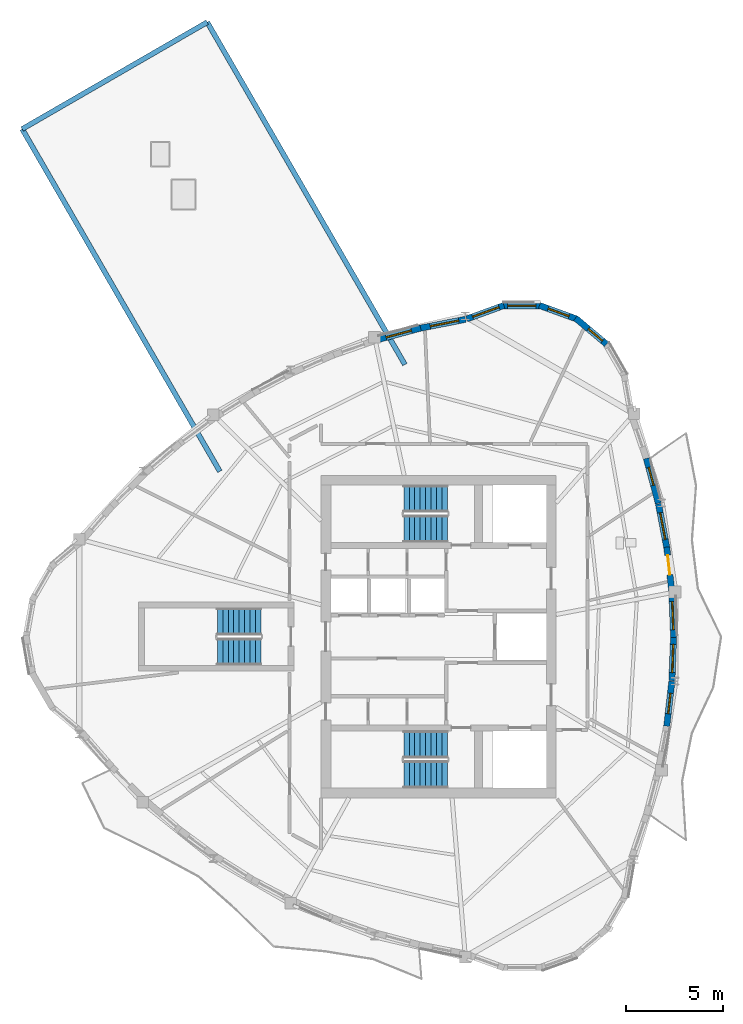
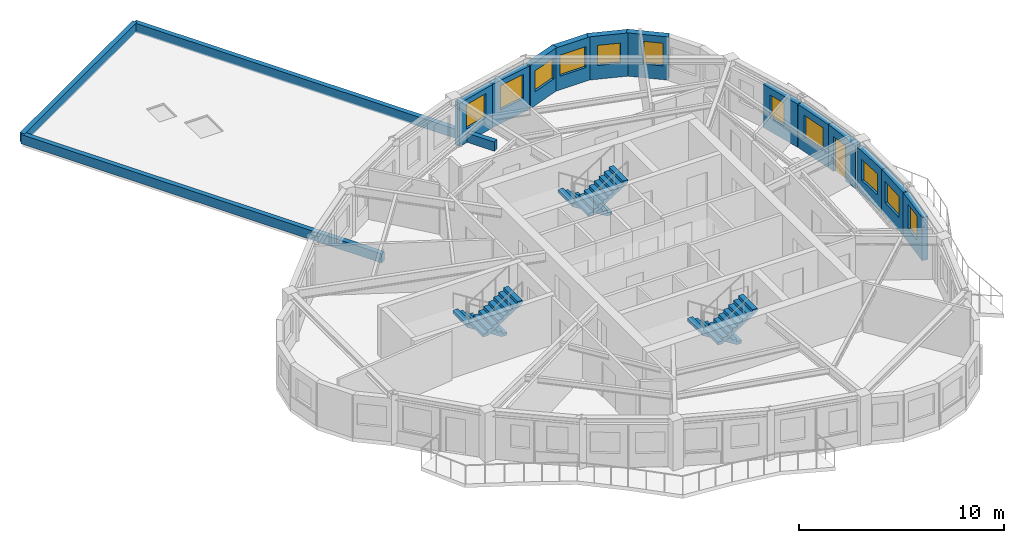
# One storey, part 7 of 11: 15 walls, 11 windows, 6 stair flights, 1 door, 12 openings, 3 elements without a shape of their own.
"""IFC4 building model written with IfcOpenShell, lengths in metres."""

from ifc_helpers import new_model, si_unit, direction, frame, frame_2d, origin, place, context, subcontext, project, spatial, polyline, rectangle, outline, extrude, source, transform, mapped, material, layer, layer_set, type_object, element, fill, aggregate, save


model = new_model("IFC4")

# Units and contexts
model_context = context("Model", 3, precision=1e-05, world=origin(), true_north=direction((0.0, 1.0)))
body_context = subcontext(model_context, "Body", "Model", "MODEL_VIEW")
ifc_project = project(units=[si_unit("LENGTHUNIT", "METRE"), si_unit("AREAUNIT", "SQUARE_METRE"), si_unit("VOLUMEUNIT", "CUBIC_METRE"), si_unit("PLANEANGLEUNIT", "RADIAN"), si_unit("MASSUNIT", "GRAM", prefix="KILO")], contexts=[model_context])

# Site, building, storey
site_placement = place(None, origin())
site = spatial("IfcSite", under=ifc_project, at=site_placement, CompositionType="ELEMENT")
building_placement = place(site_placement, origin())
building = spatial("IfcBuilding", under=site, at=building_placement, Name="Qafzar Sky-Pleat Residences", CompositionType="ELEMENT")
storey_placement = place(building_placement, frame((0.0, 0.0, 214.800048828125)))
storey = spatial("IfcBuildingStorey", under=building, at=storey_placement, Name="L64", CompositionType="ELEMENT", Elevation=214.800048828125)

# Walls
ifc_material_1 = material(Name="Precast concrete C40/50 with honed Riyadh limestone", Category="concrete")
ifc_layer_1 = layer(ifc_material_1, 0.260009765625)
ifc_layer_set_1 = layer_set([ifc_layer_1], Name="Precast concrete C40/50 with honed Riyadh limestone")
wall_type_1 = type_object("IfcWallType", Name="WALL-EXT-260", PredefinedType="PARAPET", material=ifc_layer_set_1)
wall_1_placement = place(storey_placement, frame((28.613037109375, 40.00830078125, 0.0), z_axis=(0.0, 0.0, 1.0), x_axis=(-0.49999213116, 0.866029946814, 0.0)))
element("IfcWall", 1, at=wall_1_placement, inside=storey, type_object=wall_type_1, Name="L64 SB-5 Roof Parapet 1", PredefinedType="PARAPET", context=body_context, shape_type="SweptSolid", body=[
    extrude(rectangle(XDim=20.348876953125, YDim=0.260009765625, at=frame_2d((10.17431640625, 0.0))), origin(), (0.0, 0.0, 1.0), 0.550048828125),
])
wall_2_placement = place(storey_placement, frame((18.438720703125, 57.631103515625, 0.0), z_axis=(0.0, 0.0, 1.0), x_axis=(-0.866027397988, -0.499996545922, 0.0)))
element("IfcWall", 2, at=wall_2_placement, inside=storey, type_object=wall_type_1, Name="L64 SB-5 Roof Parapet 2", PredefinedType="PARAPET", context=body_context, shape_type="SweptSolid", body=[
    extrude(rectangle(XDim=11.0, YDim=0.260009765625, at=frame_2d((5.5, 0.0))), origin(), (0.0, 0.0, 1.0), 0.550048828125),
])
wall_3_placement = place(storey_placement, frame((8.912353515625, 52.131103515625, 0.0), z_axis=(0.0, 0.0, 1.0), x_axis=(0.500001129448, -0.866024751696, 0.0)))
element("IfcWall", 3, at=wall_3_placement, inside=storey, type_object=wall_type_1, Name="L64 SB-5 Roof Parapet 3", PredefinedType="PARAPET", context=body_context, shape_type="SweptSolid", body=[
    extrude(rectangle(XDim=20.34912109375, YDim=0.260009765625, at=frame_2d((10.174560546875, 0.0))), origin(), (0.0, 0.0, 1.0), 0.550048828125),
])

# Wall, opening, window
ifc_layer_2 = layer(ifc_material_1, 0.320068359375)
ifc_layer_set_2 = layer_set([ifc_layer_2], Name="Precast concrete C40/50 with honed Riyadh limestone")
wall_type_2 = type_object("IfcWallType", Name="WALL-EXT-320", PredefinedType="SOLIDWALL", material=ifc_layer_set_2)
wall_4_placement = place(storey_placement, frame((42.093017578125, 21.390380859375, 0.0), z_axis=(0.0, 0.0, 1.0), x_axis=(0.113262644001, 0.993565082656, 0.0)))
wall_4 = element("IfcWall", 4, at=wall_4_placement, inside=storey, type_object=wall_type_2, Name="L64 Limestone Facade Wall 26", PredefinedType="SOLIDWALL", context=body_context, shape_type="SweptSolid", body=[
    extrude(rectangle(XDim=2.327880859375, YDim=0.320068359375, at=frame_2d((1.1640625, 0.0))), origin(), (0.0, 0.0, 1.0), 2.579833984375),
])
opening_1_placement = place(wall_4_placement, frame((0.64892578125, 0.0, 0.820068359375)))
opening_1 = element("IfcOpeningElement", 5, at=opening_1_placement, cuts=wall_4, Name="Opening WN-06", PredefinedType="OPENING", context=body_context, shape_type="SweptSolid", body=[
    extrude(rectangle(XDim=1.050048828125, YDim=1.449951171875, at=frame_2d((0.52490234375, 0.72509765625))), frame((0.0, 0.169921875, 0.0), z_axis=(0.0, -1.0, 0.0), x_axis=(1.0, 0.0, 0.0)), (0.0, 0.0, 1.0), 0.340087890625),
])
ifc_material_2 = material(Name="Solar-control low-E glass in bronze aluminium frame", Category="glass")
window_type_1 = type_object("IfcWindowType", Name="WIN-06", PartitioningType="SINGLE_PANEL", PredefinedType="WINDOW", material=ifc_material_2)
shared_shape_1 = source(origin(), body_context, "Body", "SweptSolid", [
    extrude(rectangle(XDim=1.050048828125, YDim=1.449951171875, at=frame_2d((0.52490234375, 0.72509765625))), frame((0.0, 0.030029296875, 0.0), z_axis=(0.0, -1.0, 0.0), x_axis=(1.0, 0.0, 0.0)), (0.0, 0.0, 1.0), 0.06005859375),
])
window_1_placement = place(opening_1_placement, origin())
window_1 = element("IfcWindow", 6, at=window_1_placement, inside=storey, type_object=window_type_1, Name="L64 Punched Facade Window 26", OverallHeight=1.449951171875, OverallWidth=1.050048828125, PartitioningType="SINGLE_PANEL", PredefinedType="WINDOW", context=body_context, shape_type="MappedRepresentation", body=[
    mapped(shared_shape_1, transform((0.0, 0.0, 0.0), x_axis=(1.0, 0.0, 0.0), y_axis=(0.0, 1.0, 0.0), z_axis=(0.0, 0.0, 1.0), scale=1.0)),
])
fill(opening_1, window_1)

wall_5_placement = place(storey_placement, frame((42.35888671875, 23.731201171875, 0.0), z_axis=(0.0, 0.0, 1.0), x_axis=(0.037975332386, 0.999278676912, 0.0)))
wall_5 = element("IfcWall", 7, at=wall_5_placement, inside=storey, type_object=wall_type_2, Name="L64 Limestone Facade Wall 27", PredefinedType="SOLIDWALL", context=body_context, shape_type="SweptSolid", body=[
    extrude(rectangle(XDim=2.314453125, YDim=0.320068359375, at=frame_2d((1.1572265625, 0.0))), origin(), (0.0, 0.0, 1.0), 2.579833984375),
])
opening_2_placement = place(wall_5_placement, frame((0.42236328125, 0.0, 0.820068359375)))
opening_2 = element("IfcOpeningElement", 8, at=opening_2_placement, cuts=wall_5, Name="Opening WN-15", PredefinedType="OPENING", context=body_context, shape_type="SweptSolid", body=[
    extrude(rectangle(XDim=1.449951171875, YDim=1.25, at=frame_2d((0.72509765625, 0.625))), frame((0.0, 0.169921875, 0.0), z_axis=(0.0, -1.0, 0.0), x_axis=(1.0, 0.0, 0.0)), (0.0, 0.0, 1.0), 0.340087890625),
])
window_type_2 = type_object("IfcWindowType", Name="WIN-15", PartitioningType="SINGLE_PANEL", PredefinedType="WINDOW", material=ifc_material_2)
shared_shape_2 = source(origin(), body_context, "Body", "SweptSolid", [
    extrude(rectangle(XDim=1.449951171875, YDim=1.25, at=frame_2d((0.72509765625, 0.625))), frame((0.0, 0.030029296875, 0.0), z_axis=(0.0, -1.0, 0.0), x_axis=(1.0, 0.0, 0.0)), (0.0, 0.0, 1.0), 0.06005859375),
])
window_2_placement = place(opening_2_placement, origin())
window_2 = element("IfcWindow", 9, at=window_2_placement, inside=storey, type_object=window_type_2, Name="L64 Punched Facade Window 27", OverallHeight=1.25, OverallWidth=1.449951171875, PartitioningType="SINGLE_PANEL", PredefinedType="WINDOW", context=body_context, shape_type="MappedRepresentation", body=[
    mapped(shared_shape_2, transform((0.0, 0.0, 0.0), x_axis=(1.0, 0.0, 0.0), y_axis=(0.0, 1.0, 0.0), z_axis=(0.0, 0.0, 1.0), scale=1.0)),
])
fill(opening_2, window_2)

wall_6_placement = place(storey_placement, frame((42.44677734375, 25.9560546875, 0.0), z_axis=(0.0, 0.0, 1.0), x_axis=(-0.037961080573, 0.999279218418, 0.0)))
wall_6 = element("IfcWall", 10, at=wall_6_placement, inside=storey, type_object=wall_type_2, Name="L64 Limestone Facade Wall 28", PredefinedType="SOLIDWALL", context=body_context, shape_type="SweptSolid", body=[
    extrude(rectangle(XDim=2.24462890625, YDim=0.320068359375, at=frame_2d((1.122314453125, 0.0))), origin(), (0.0, 0.0, 1.0), 2.579833984375),
])
opening_3_placement = place(wall_6_placement, frame((0.40234375, 0.0, 0.820068359375)))
opening_3 = element("IfcOpeningElement", 11, at=opening_3_placement, cuts=wall_6, Name="Opening WN-15", PredefinedType="OPENING", context=body_context, shape_type="SweptSolid", body=[
    extrude(rectangle(XDim=1.449951171875, YDim=1.25, at=frame_2d((0.72509765625, 0.625))), frame((0.0, 0.169921875, 0.0), z_axis=(0.0, -1.0, 0.0), x_axis=(1.0, 0.0, 0.0)), (0.0, 0.0, 1.0), 0.340087890625),
])
window_3_placement = place(opening_3_placement, origin())
window_3 = element("IfcWindow", 12, at=window_3_placement, inside=storey, type_object=window_type_2, Name="L64 Punched Facade Window 28", OverallHeight=1.25, OverallWidth=1.449951171875, PartitioningType="SINGLE_PANEL", PredefinedType="WINDOW", context=body_context, shape_type="MappedRepresentation", body=[
    mapped(shared_shape_2, transform((0.0, 0.0, 0.0), x_axis=(1.0, 0.0, 0.0), y_axis=(0.0, 1.0, 0.0), z_axis=(0.0, 0.0, 1.0), scale=1.0)),
])
fill(opening_3, window_3)

# Wall, opening, door
wall_7_placement = place(storey_placement, frame((42.348876953125, 28.3662109375, 0.0), z_axis=(0.0, 0.0, 1.0), x_axis=(-0.113314829757, 0.99355913229, 0.0)))
wall_7 = element("IfcWall", 13, at=wall_7_placement, inside=storey, type_object=wall_type_2, Name="L64 Limestone Facade Wall 29", PredefinedType="SOLIDWALL", context=body_context, shape_type="SweptSolid", body=[
    extrude(rectangle(XDim=2.258056640625, YDim=0.320068359375, at=frame_2d((1.12890625, 0.0))), origin(), (0.0, 0.0, 1.0), 2.579833984375),
])
opening_4_placement = place(wall_7_placement, frame((0.830322265625, 0.0, 0.0)))
opening_4 = element("IfcOpeningElement", 14, at=opening_4_placement, cuts=wall_7, Name="Opening ED-05", PredefinedType="OPENING", context=body_context, shape_type="SweptSolid", body=[
    extrude(rectangle(XDim=1.0, YDim=2.10009765625, at=frame_2d((0.5, 1.050048828125))), frame((0.0, 0.169921875, 0.0), z_axis=(0.0, -1.0, 0.0), x_axis=(1.0, 0.0, 0.0)), (0.0, 0.0, 1.0), 0.340087890625),
])
ifc_material_3 = material(Name="Glazed bronze aluminium door", Category="aluminium")
door_type = type_object("IfcDoorType", Name="DR-BAL-1000", OperationType="NOTDEFINED", PredefinedType="DOOR", material=ifc_material_3)
shared_shape_3 = source(origin(), body_context, "Body", "SweptSolid", [
    extrude(rectangle(XDim=1.0, YDim=2.10009765625, at=frame_2d((0.5, 1.050048828125))), frame((0.0, 0.02490234375, 0.0), z_axis=(0.0, -1.0, 0.0), x_axis=(1.0, 0.0, 0.0)), (0.0, 0.0, 1.0), 0.050048828125),
])
door_placement = place(opening_4_placement, origin())
door = element("IfcDoor", 15, at=door_placement, inside=storey, type_object=door_type, Name="L64 Glazed Balcony Door 1", OperationType="SINGLE_SWING_LEFT", OverallHeight=2.10009765625, OverallWidth=1.0, PredefinedType="DOOR", context=body_context, shape_type="MappedRepresentation", body=[
    mapped(shared_shape_3, transform((0.0, 0.0, 0.0), x_axis=(1.0, 0.0, 0.0), y_axis=(0.0, 1.0, 0.0), z_axis=(0.0, 0.0, 1.0), scale=1.0)),
])
fill(opening_4, door)

# Wall, opening, window
wall_8_placement = place(storey_placement, frame((42.106201171875, 30.522705078125, 0.0), z_axis=(0.0, 0.0, 1.0), x_axis=(-0.186673658051, 0.982421979289, 0.0)))
wall_8 = element("IfcWall", 16, at=wall_8_placement, inside=storey, type_object=wall_type_2, Name="L64 Limestone Facade Wall 30", PredefinedType="SOLIDWALL", context=body_context, shape_type="SweptSolid", body=[
    extrude(rectangle(XDim=2.35400390625, YDim=0.320068359375, at=frame_2d((1.177001953125, 0.0))), origin(), (0.0, 0.0, 1.0), 2.579833984375),
])
opening_5_placement = place(wall_8_placement, frame((0.487060546875, 0.0, 0.820068359375)))
opening_5 = element("IfcOpeningElement", 17, at=opening_5_placement, cuts=wall_8, Name="Opening WN-10", PredefinedType="OPENING", context=body_context, shape_type="SweptSolid", body=[
    extrude(rectangle(XDim=1.39990234375, YDim=1.35009765625, at=frame_2d((0.699951171875, 0.675048828125))), frame((0.0, 0.169921875, 0.0), z_axis=(0.0, -1.0, 0.0), x_axis=(1.0, 0.0, 0.0)), (0.0, 0.0, 1.0), 0.340087890625),
])
window_type_3 = type_object("IfcWindowType", Name="WIN-10", PartitioningType="SINGLE_PANEL", PredefinedType="WINDOW", material=ifc_material_2)
shared_shape_4 = source(origin(), body_context, "Body", "SweptSolid", [
    extrude(rectangle(XDim=1.39990234375, YDim=1.35009765625, at=frame_2d((0.699951171875, 0.675048828125))), frame((0.0, 0.030029296875, 0.0), z_axis=(0.0, -1.0, 0.0), x_axis=(1.0, 0.0, 0.0)), (0.0, 0.0, 1.0), 0.06005859375),
])
window_4_placement = place(opening_5_placement, origin())
window_4 = element("IfcWindow", 18, at=window_4_placement, inside=storey, type_object=window_type_3, Name="L64 Punched Facade Window 30", OverallHeight=1.35009765625, OverallWidth=1.39990234375, PartitioningType="SINGLE_PANEL", PredefinedType="WINDOW", context=body_context, shape_type="MappedRepresentation", body=[
    mapped(shared_shape_4, transform((0.0, 0.0, 0.0), x_axis=(1.0, 0.0, 0.0), y_axis=(0.0, 1.0, 0.0), z_axis=(0.0, 0.0, 1.0), scale=1.0)),
])
fill(opening_5, window_4)

wall_9_placement = place(storey_placement, frame((41.660400390625, 32.863037109375, 0.0), z_axis=(0.0, 0.0, 1.0), x_axis=(-0.257008511659, 0.966409139513, 0.0)))
wall_9 = element("IfcWall", 19, at=wall_9_placement, inside=storey, type_object=wall_type_2, Name="L64 Limestone Facade Wall 31", PredefinedType="SOLIDWALL", context=body_context, shape_type="SweptSolid", body=[
    extrude(rectangle(XDim=2.392822265625, YDim=0.320068359375, at=frame_2d((1.1962890625, 0.0))), origin(), (0.0, 0.0, 1.0), 2.579833984375),
])
opening_6_placement = place(wall_9_placement, frame((0.964599609375, 0.0, 0.820068359375)))
opening_6 = element("IfcOpeningElement", 20, at=opening_6_placement, cuts=wall_9, Name="Opening WN-12", PredefinedType="OPENING", context=body_context, shape_type="SweptSolid", body=[
    extrude(rectangle(XDim=0.949951171875, YDim=1.35009765625, at=frame_2d((0.47509765625, 0.675048828125))), frame((0.0, 0.169921875, 0.0), z_axis=(0.0, -1.0, 0.0), x_axis=(1.0, 0.0, 0.0)), (0.0, 0.0, 1.0), 0.340087890625),
])
window_type_4 = type_object("IfcWindowType", Name="WIN-12", PartitioningType="SINGLE_PANEL", PredefinedType="WINDOW", material=ifc_material_2)
shared_shape_5 = source(origin(), body_context, "Body", "SweptSolid", [
    extrude(rectangle(XDim=0.949951171875, YDim=1.35009765625, at=frame_2d((0.47509765625, 0.675048828125))), frame((0.0, 0.030029296875, 0.0), z_axis=(0.0, -1.0, 0.0), x_axis=(1.0, 0.0, 0.0)), (0.0, 0.0, 1.0), 0.06005859375),
])
window_5_placement = place(opening_6_placement, origin())
window_5 = element("IfcWindow", 21, at=window_5_placement, inside=storey, type_object=window_type_4, Name="L64 Punched Facade Window 31-2", OverallHeight=1.35009765625, OverallWidth=0.949951171875, PartitioningType="SINGLE_PANEL", PredefinedType="WINDOW", context=body_context, shape_type="MappedRepresentation", body=[
    mapped(shared_shape_5, transform((0.0, 0.0, 0.0), x_axis=(1.0, 0.0, 0.0), y_axis=(0.0, 1.0, 0.0), z_axis=(0.0, 0.0, 1.0), scale=1.0)),
])
fill(opening_6, window_5)

wall_10_placement = place(storey_placement, frame((38.994384765625, 41.055908203125, 0.0), z_axis=(0.0, 0.0, 1.0), x_axis=(-0.766024572719, 0.642811289563, 0.0)))
wall_10 = element("IfcWall", 22, at=wall_10_placement, inside=storey, type_object=wall_type_2, Name="L64 Limestone Facade Wall 35", PredefinedType="SOLIDWALL", context=body_context, shape_type="SweptSolid", body=[
    extrude(rectangle(XDim=2.09033203125, YDim=0.320068359375, at=frame_2d((1.045166015625, 0.0))), origin(), (0.0, 0.0, 1.0), 2.579833984375),
])
opening_7_placement = place(wall_10_placement, frame((0.2705078125, 0.0, 0.820068359375)))
opening_7 = element("IfcOpeningElement", 23, at=opening_7_placement, cuts=wall_10, Name="Opening WN-12", PredefinedType="OPENING", context=body_context, shape_type="SweptSolid", body=[
    extrude(rectangle(XDim=0.949951171875, YDim=1.35009765625, at=frame_2d((0.47509765625, 0.675048828125))), frame((0.0, 0.169921875, 0.0), z_axis=(0.0, -1.0, 0.0), x_axis=(1.0, 0.0, 0.0)), (0.0, 0.0, 1.0), 0.340087890625),
])
window_6_placement = place(opening_7_placement, origin())
window_6 = element("IfcWindow", 24, at=window_6_placement, inside=storey, type_object=window_type_4, Name="L64 Punched Facade Window 35", OverallHeight=1.35009765625, OverallWidth=0.949951171875, PartitioningType="SINGLE_PANEL", PredefinedType="WINDOW", context=body_context, shape_type="MappedRepresentation", body=[
    mapped(shared_shape_5, transform((0.0, 0.0, 0.0), x_axis=(1.0, 0.0, 0.0), y_axis=(0.0, 1.0, 0.0), z_axis=(0.0, 0.0, 1.0), scale=1.0)),
])
fill(opening_7, window_6)

wall_11_placement = place(storey_placement, frame((37.506103515625, 42.33447265625, 0.0), z_axis=(0.0, 0.0, 1.0), x_axis=(-0.939711556618, 0.341968113072, 0.0)))
wall_11 = element("IfcWall", 25, at=wall_11_placement, inside=storey, type_object=wall_type_2, Name="L64 Limestone Facade Wall 36", PredefinedType="SOLIDWALL", context=body_context, shape_type="SweptSolid", body=[
    extrude(rectangle(XDim=2.09033203125, YDim=0.320068359375, at=frame_2d((1.045166015625, 0.0))), origin(), (0.0, 0.0, 1.0), 2.579833984375),
])
opening_8_placement = place(wall_11_placement, frame((0.47021484375, 0.0, 0.820068359375)))
opening_8 = element("IfcOpeningElement", 26, at=opening_8_placement, cuts=wall_11, Name="Opening WN-16", PredefinedType="OPENING", context=body_context, shape_type="SweptSolid", body=[
    extrude(rectangle(XDim=1.14990234375, YDim=1.199951171875, at=frame_2d((0.574951171875, 0.60009765625))), frame((0.0, 0.169921875, 0.0), z_axis=(0.0, -1.0, 0.0), x_axis=(1.0, 0.0, 0.0)), (0.0, 0.0, 1.0), 0.340087890625),
])
window_type_5 = type_object("IfcWindowType", Name="WIN-16", PartitioningType="SINGLE_PANEL", PredefinedType="WINDOW", material=ifc_material_2)
shared_shape_6 = source(origin(), body_context, "Body", "SweptSolid", [
    extrude(rectangle(XDim=1.14990234375, YDim=1.199951171875, at=frame_2d((0.574951171875, 0.60009765625))), frame((0.0, 0.030029296875, 0.0), z_axis=(0.0, -1.0, 0.0), x_axis=(1.0, 0.0, 0.0)), (0.0, 0.0, 1.0), 0.06005859375),
])
window_7_placement = place(opening_8_placement, origin())
window_7 = element("IfcWindow", 27, at=window_7_placement, inside=storey, type_object=window_type_5, Name="L64 Punched Facade Window 36", OverallHeight=1.199951171875, OverallWidth=1.14990234375, PartitioningType="SINGLE_PANEL", PredefinedType="WINDOW", context=body_context, shape_type="MappedRepresentation", body=[
    mapped(shared_shape_6, transform((0.0, 0.0, 0.0), x_axis=(1.0, 0.0, 0.0), y_axis=(0.0, 1.0, 0.0), z_axis=(0.0, 0.0, 1.0), scale=1.0)),
])
fill(opening_8, window_7)

wall_12_placement = place(storey_placement, frame((35.670166015625, 43.026611328125, 0.0), z_axis=(0.0, 0.0, 1.0), x_axis=(-1.0, 0.0, 0.0)))
wall_12 = element("IfcWall", 28, at=wall_12_placement, inside=storey, type_object=wall_type_2, Name="L64 Limestone Facade Wall 37", PredefinedType="SOLIDWALL", context=body_context, shape_type="SweptSolid", body=[
    extrude(rectangle(XDim=2.09033203125, YDim=0.320068359375, at=frame_2d((1.045166015625, 0.0))), origin(), (0.0, 0.0, 1.0), 2.579833984375),
])
opening_9_placement = place(wall_12_placement, frame((0.3203125, 0.0, 0.820068359375)))
opening_9 = element("IfcOpeningElement", 29, at=opening_9_placement, cuts=wall_12, Name="Opening WN-15", PredefinedType="OPENING", context=body_context, shape_type="SweptSolid", body=[
    extrude(rectangle(XDim=1.449951171875, YDim=1.25, at=frame_2d((0.72509765625, 0.625))), frame((0.0, 0.169921875, 0.0), z_axis=(0.0, -1.0, 0.0), x_axis=(1.0, 0.0, 0.0)), (0.0, 0.0, 1.0), 0.340087890625),
])
window_8_placement = place(opening_9_placement, origin())
window_8 = element("IfcWindow", 30, at=window_8_placement, inside=storey, type_object=window_type_2, Name="L64 Punched Facade Window 37", OverallHeight=1.25, OverallWidth=1.449951171875, PartitioningType="SINGLE_PANEL", PredefinedType="WINDOW", context=body_context, shape_type="MappedRepresentation", body=[
    mapped(shared_shape_2, transform((0.0, 0.0, 0.0), x_axis=(1.0, 0.0, 0.0), y_axis=(0.0, 1.0, 0.0), z_axis=(0.0, 0.0, 1.0), scale=1.0)),
])
fill(opening_9, window_8)

wall_13_placement = place(storey_placement, frame((33.708251953125, 43.04931640625, 0.0), z_axis=(0.0, 0.0, 1.0), x_axis=(-0.939691662178, -0.342022777067, 0.0)))
wall_13 = element("IfcWall", 31, at=wall_13_placement, inside=storey, type_object=wall_type_2, Name="L64 Limestone Facade Wall 38", PredefinedType="SOLIDWALL", context=body_context, shape_type="SweptSolid", body=[
    extrude(rectangle(XDim=2.0322265625, YDim=0.320068359375, at=frame_2d((1.01611328125, 0.0))), origin(), (0.0, 0.0, 1.0), 2.579833984375),
])
opening_10_placement = place(wall_13_placement, frame((0.260986328125, 0.0, 0.820068359375)))
opening_10 = element("IfcOpeningElement", 32, at=opening_10_placement, cuts=wall_13, Name="Opening WN-15", PredefinedType="OPENING", context=body_context, shape_type="SweptSolid", body=[
    extrude(rectangle(XDim=1.449951171875, YDim=1.25, at=frame_2d((0.72509765625, 0.625))), frame((0.0, 0.169921875, 0.0), z_axis=(0.0, -1.0, 0.0), x_axis=(1.0, 0.0, 0.0)), (0.0, 0.0, 1.0), 0.340087890625),
])
window_9_placement = place(opening_10_placement, origin())
window_9 = element("IfcWindow", 33, at=window_9_placement, inside=storey, type_object=window_type_2, Name="L64 Punched Facade Window 38", OverallHeight=1.25, OverallWidth=1.449951171875, PartitioningType="SINGLE_PANEL", PredefinedType="WINDOW", context=body_context, shape_type="MappedRepresentation", body=[
    mapped(shared_shape_2, transform((0.0, 0.0, 0.0), x_axis=(1.0, 0.0, 0.0), y_axis=(0.0, 1.0, 0.0), z_axis=(0.0, 0.0, 1.0), scale=1.0)),
])
fill(opening_10, window_9)

wall_14_placement = place(storey_placement, frame((31.736083984375, 42.3369140625, 0.0), z_axis=(0.0, 0.0, 1.0), x_axis=(-0.981228566979, -0.192848384345, 0.0)))
wall_14 = element("IfcWall", 34, at=wall_14_placement, inside=storey, type_object=wall_type_2, Name="L64 Limestone Facade Wall 39", PredefinedType="SOLIDWALL", context=body_context, shape_type="SweptSolid", body=[
    extrude(rectangle(XDim=2.443359375, YDim=0.320068359375, at=frame_2d((1.2216796875, 0.0))), origin(), (0.0, 0.0, 1.0), 2.579833984375),
])
opening_11_placement = place(wall_14_placement, frame((0.35888671875, 0.0, 0.820068359375)))
opening_11 = element("IfcOpeningElement", 35, at=opening_11_placement, cuts=wall_14, Name="Opening WN-03", PredefinedType="OPENING", context=body_context, shape_type="SweptSolid", body=[
    extrude(rectangle(XDim=1.5, YDim=1.449951171875, at=frame_2d((0.75, 0.72509765625))), frame((0.0, 0.169921875, 0.0), z_axis=(0.0, -1.0, 0.0), x_axis=(1.0, 0.0, 0.0)), (0.0, 0.0, 1.0), 0.340087890625),
])
window_type_6 = type_object("IfcWindowType", Name="WIN-03", PartitioningType="DOUBLE_PANEL_VERTICAL", PredefinedType="WINDOW", material=ifc_material_2)
shared_shape_7 = source(origin(), body_context, "Body", "SweptSolid", [
    extrude(rectangle(XDim=1.5, YDim=1.449951171875, at=frame_2d((0.75, 0.72509765625))), frame((0.0, 0.030029296875, 0.0), z_axis=(0.0, -1.0, 0.0), x_axis=(1.0, 0.0, 0.0)), (0.0, 0.0, 1.0), 0.06005859375),
])
window_10_placement = place(opening_11_placement, origin())
window_10 = element("IfcWindow", 36, at=window_10_placement, inside=storey, type_object=window_type_6, Name="L64 Punched Facade Window 39", OverallHeight=1.449951171875, OverallWidth=1.5, PartitioningType="SINGLE_PANEL", PredefinedType="WINDOW", context=body_context, shape_type="MappedRepresentation", body=[
    mapped(shared_shape_7, transform((0.0, 0.0, 0.0), x_axis=(1.0, 0.0, 0.0), y_axis=(0.0, 1.0, 0.0), z_axis=(0.0, 0.0, 1.0), scale=1.0)),
])
fill(opening_11, window_10)

wall_15_placement = place(storey_placement, frame((29.423583984375, 41.885498046875, 0.0), z_axis=(0.0, 0.0, 1.0), x_axis=(-0.965461343217, -0.260546338976, 0.0)))
wall_15 = element("IfcWall", 37, at=wall_15_placement, inside=storey, type_object=wall_type_2, Name="L64 Limestone Facade Wall 40", PredefinedType="SOLIDWALL", context=body_context, shape_type="SweptSolid", body=[
    extrude(rectangle(XDim=2.322998046875, YDim=0.320068359375, at=frame_2d((1.16162109375, 0.0))), origin(), (0.0, 0.0, 1.0), 2.579833984375),
])
opening_12_placement = place(wall_15_placement, frame((0.491455078125, 0.0, 0.820068359375)))
opening_12 = element("IfcOpeningElement", 38, at=opening_12_placement, cuts=wall_15, Name="Opening WN-04", PredefinedType="OPENING", context=body_context, shape_type="SweptSolid", body=[
    extrude(rectangle(XDim=1.35009765625, YDim=1.449951171875, at=frame_2d((0.675048828125, 0.72509765625))), frame((0.0, 0.169921875, 0.0), z_axis=(0.0, -1.0, 0.0), x_axis=(1.0, 0.0, 0.0)), (0.0, 0.0, 1.0), 0.340087890625),
])
window_type_7 = type_object("IfcWindowType", Name="WIN-04", PartitioningType="SINGLE_PANEL", PredefinedType="WINDOW", material=ifc_material_2)
shared_shape_8 = source(origin(), body_context, "Body", "SweptSolid", [
    extrude(rectangle(XDim=1.35009765625, YDim=1.449951171875, at=frame_2d((0.675048828125, 0.72509765625))), frame((0.0, 0.030029296875, 0.0), z_axis=(0.0, -1.0, 0.0), x_axis=(1.0, 0.0, 0.0)), (0.0, 0.0, 1.0), 0.06005859375),
])
window_11_placement = place(opening_12_placement, origin())
window_11 = element("IfcWindow", 39, at=window_11_placement, inside=storey, type_object=window_type_7, Name="L64 Punched Facade Window 40", OverallHeight=1.449951171875, OverallWidth=1.35009765625, PartitioningType="SINGLE_PANEL", PredefinedType="WINDOW", context=body_context, shape_type="MappedRepresentation", body=[
    mapped(shared_shape_8, transform((0.0, 0.0, 0.0), x_axis=(1.0, 0.0, 0.0), y_axis=(0.0, 1.0, 0.0), z_axis=(0.0, 0.0, 1.0), scale=1.0)),
])
fill(opening_12, window_11)

# Stair, stair flights
ifc_material_4 = material(Name="Concrete C40/50", Category="concrete")
stair_type = type_object("IfcStairType", Name="STAIR-H320", PredefinedType="HALF_TURN_STAIR", material=ifc_material_4)
stair_1_placement = place(storey_placement, origin())
stair_1 = element("IfcStair", 40, at=stair_1_placement, inside=storey, type_object=stair_type, Name="L64 Protected Exit Stair ST1", PredefinedType="HALF_TURN_STAIR")
stair_flight_type = type_object("IfcStairFlightType", Name="FLIGHT-H320", PredefinedType="STRAIGHT", material=ifc_material_4)
shared_shape_9 = source(origin(), body_context, "Body", "SweptSolid", [
    extrude(outline(polyline([(0.0, 0.0), (0.0, 0.177734375), (0.280029296875, 0.177734375), (0.280029296875, 0.35546875), (0.56005859375, 0.35546875), (0.56005859375, 0.533447265625), (0.840087890625, 0.533447265625), (0.840087890625, 0.711181640625), (1.1201171875, 0.711181640625), (1.1201171875, 0.888916015625), (1.39990234375, 0.888916015625), (1.39990234375, 1.066650390625), (1.679931640625, 1.066650390625), (1.679931640625, 1.244384765625), (1.9599609375, 1.244384765625), (1.9599609375, 1.422119140625), (2.239990234375, 1.422119140625), (2.239990234375, 1.60009765625), (2.239990234375, 1.24462890625), (0.27978515625, 0.0), (0.0, 0.0)])), frame((0.0, 0.699951171875, 0.0), z_axis=(0.0, -1.0, 0.0), x_axis=(1.0, 0.0, 0.0)), (0.0, 0.0, 1.0), 1.39990234375),
])
stair_flight_1_placement = place(storey_placement, frame((30.800048828125, 20.449951171875, 0.0), z_axis=(0.0, 0.0, 1.0), x_axis=(-1.0, 0.0, 0.0)))
stair_flight_1 = element("IfcStairFlight", 41, at=stair_flight_1_placement, type_object=stair_flight_type, Name="ST1 flight 1", NumberOfRisers=9, NumberOfTreads=8, PredefinedType="STRAIGHT", RiserHeight=0.177777778, TreadLength=0.28, context=body_context, shape_type="MappedRepresentation", body=[
    mapped(shared_shape_9, transform((0.0, 0.0, 0.0), x_axis=(1.0, 0.0, 0.0), y_axis=(0.0, 1.0, 0.0), z_axis=(0.0, 0.0, 1.0), scale=1.0)),
])
stair_flight_2_placement = place(storey_placement, frame((28.56005859375, 18.89990234375, 1.599853515625), z_axis=(0.0, 0.0, 1.0), x_axis=(1.0, 0.0, 0.0)))
stair_flight_2 = element("IfcStairFlight", 42, at=stair_flight_2_placement, type_object=stair_flight_type, Name="ST1 flight 2", NumberOfRisers=9, NumberOfTreads=8, PredefinedType="STRAIGHT", RiserHeight=0.177777778, TreadLength=0.28, context=body_context, shape_type="MappedRepresentation", body=[
    mapped(shared_shape_9, transform((0.0, 0.0, 0.0), x_axis=(1.0, 0.0, 0.0), y_axis=(0.0, 1.0, 0.0), z_axis=(0.0, 0.0, 1.0), scale=1.0)),
])
aggregate(stair_1, [stair_flight_1, stair_flight_2])

stair_2_placement = place(storey_placement, origin())
stair_2 = element("IfcStair", 43, at=stair_2_placement, inside=storey, type_object=stair_type, Name="L64 Protected Exit Stair ST2", PredefinedType="HALF_TURN_STAIR")
stair_flight_3_placement = place(storey_placement, frame((30.800048828125, 33.10009765625, 0.0), z_axis=(0.0, 0.0, 1.0), x_axis=(-1.0, 0.0, 0.0)))
stair_flight_3 = element("IfcStairFlight", 44, at=stair_flight_3_placement, type_object=stair_flight_type, Name="ST2 flight 1", NumberOfRisers=9, NumberOfTreads=8, PredefinedType="STRAIGHT", RiserHeight=0.177777778, TreadLength=0.28, context=body_context, shape_type="MappedRepresentation", body=[
    mapped(shared_shape_9, transform((0.0, 0.0, 0.0), x_axis=(1.0, 0.0, 0.0), y_axis=(0.0, 1.0, 0.0), z_axis=(0.0, 0.0, 1.0), scale=1.0)),
])
stair_flight_4_placement = place(storey_placement, frame((28.56005859375, 31.550048828125, 1.599853515625), z_axis=(0.0, 0.0, 1.0), x_axis=(1.0, 0.0, 0.0)))
stair_flight_4 = element("IfcStairFlight", 45, at=stair_flight_4_placement, type_object=stair_flight_type, Name="ST2 flight 2", NumberOfRisers=9, NumberOfTreads=8, PredefinedType="STRAIGHT", RiserHeight=0.177777778, TreadLength=0.28, context=body_context, shape_type="MappedRepresentation", body=[
    mapped(shared_shape_9, transform((0.0, 0.0, 0.0), x_axis=(1.0, 0.0, 0.0), y_axis=(0.0, 1.0, 0.0), z_axis=(0.0, 0.0, 1.0), scale=1.0)),
])
aggregate(stair_2, [stair_flight_3, stair_flight_4])

stair_3_placement = place(storey_placement, origin())
stair_3 = element("IfcStair", 46, at=stair_3_placement, inside=storey, type_object=stair_type, Name="L64 Protected Exit Stair ST3", PredefinedType="HALF_TURN_STAIR")
stair_flight_5_placement = place(storey_placement, frame((21.199951171875, 26.77490234375, 0.0), z_axis=(0.0, 0.0, 1.0), x_axis=(-1.0, 0.0, 0.0)))
stair_flight_5 = element("IfcStairFlight", 47, at=stair_flight_5_placement, type_object=stair_flight_type, Name="ST3 flight 1", NumberOfRisers=9, NumberOfTreads=8, PredefinedType="STRAIGHT", RiserHeight=0.177777778, TreadLength=0.28, context=body_context, shape_type="MappedRepresentation", body=[
    mapped(shared_shape_9, transform((0.0, 0.0, 0.0), x_axis=(1.0, 0.0, 0.0), y_axis=(0.0, 1.0, 0.0), z_axis=(0.0, 0.0, 1.0), scale=1.0)),
])
stair_flight_6_placement = place(storey_placement, frame((18.9599609375, 25.22509765625, 1.599853515625), z_axis=(0.0, 0.0, 1.0), x_axis=(1.0, 0.0, 0.0)))
stair_flight_6 = element("IfcStairFlight", 48, at=stair_flight_6_placement, type_object=stair_flight_type, Name="ST3 flight 2", NumberOfRisers=9, NumberOfTreads=8, PredefinedType="STRAIGHT", RiserHeight=0.177777778, TreadLength=0.28, context=body_context, shape_type="MappedRepresentation", body=[
    mapped(shared_shape_9, transform((0.0, 0.0, 0.0), x_axis=(1.0, 0.0, 0.0), y_axis=(0.0, 1.0, 0.0), z_axis=(0.0, 0.0, 1.0), scale=1.0)),
])
aggregate(stair_3, [stair_flight_5, stair_flight_6])

save(model, "model.ifc")
